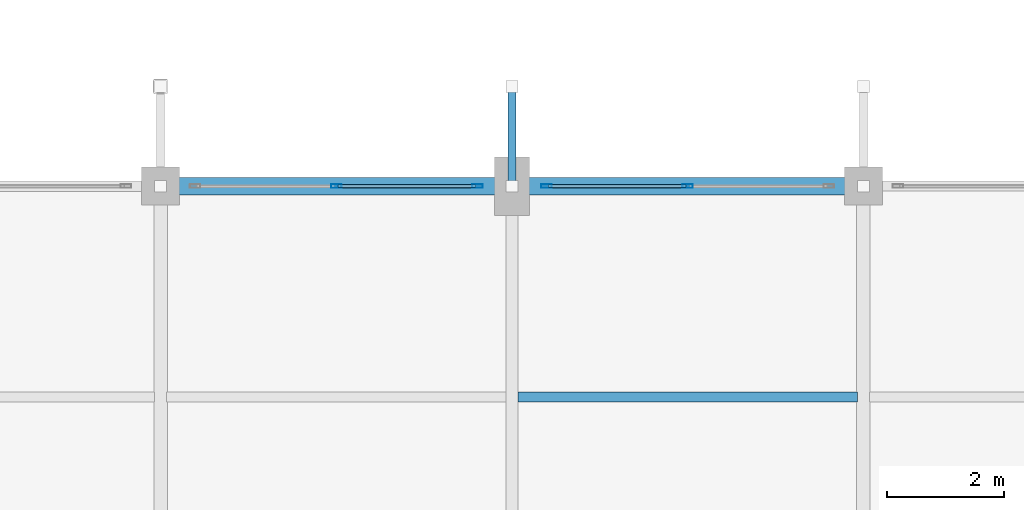
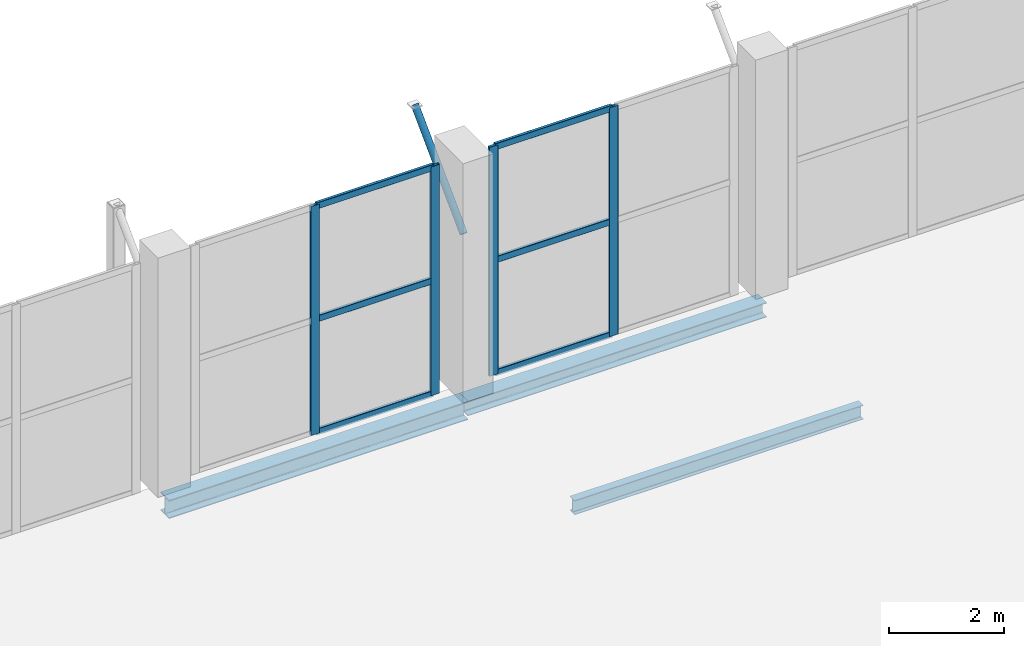
# One storey, part 50 of 127: 11 members, 3 beams, 2 elements without a shape of their own.
"""IFC4 building model written with IfcOpenShell, lengths in metres."""

from ifc_helpers import new_model, si_unit, direction, frame, origin, origin_2d, place, context, subcontext, project, spatial, hollow_rectangle, hollow_circle, i_section, extrude, material, layer, layer_set, material_profile, profile_set, type_object, element, aggregate, save


model = new_model("IFC4")

# Units and contexts
model_context = context("Model", 3, precision=1e-05, world=origin(), true_north=direction((0.0, 1.0)))
body_context = subcontext(model_context, "Body", "Model", "MODEL_VIEW")
ifc_project = project(units=[si_unit("LENGTHUNIT", "METRE"), si_unit("AREAUNIT", "SQUARE_METRE"), si_unit("VOLUMEUNIT", "CUBIC_METRE"), si_unit("PLANEANGLEUNIT", "RADIAN"), si_unit("MASSUNIT", "GRAM", prefix="KILO")], contexts=[model_context])

# Site, building, storey
site_placement = place(None, origin())
site = spatial("IfcSite", under=ifc_project, at=site_placement, CompositionType="ELEMENT")
building_placement = place(site_placement, origin())
building = spatial("IfcBuilding", under=site, at=building_placement, Name="Dunvalen Ferry Terminal", CompositionType="ELEMENT")
storey_placement = place(building_placement, frame((0.0, 0.0, 5.760009765625)))
storey = spatial("IfcBuildingStorey", under=building, at=storey_placement, Name="L01", CompositionType="ELEMENT", Elevation=5.760009765625)

# Curtain wall, members
ifc_material_1 = material(Name="Anodised marine aluminium and solar-control glazing", Category="aluminium")
ifc_layer = layer(ifc_material_1, 0.219970703125, Name="Anodised marine aluminium and solar-control glazing")
ifc_layer_set = layer_set([ifc_layer], Name="Anodised marine aluminium and solar-control glazing")
curtain_wall_type = type_object("IfcCurtainWallType", Name="ENV-CW-SYS-02", PredefinedType="NOTDEFINED", material=ifc_layer_set)
curtain_wall_1_placement = place(storey_placement, origin())
curtain_wall_1 = element("IfcCurtainWall", 1, at=curtain_wall_1_placement, inside=storey, type_object=curtain_wall_type, Name="L01 Curtain Wall CW-V1N-L01-08", PredefinedType="NOTDEFINED")
ifc_material_2 = material(Name="Anodised marine aluminium EN AW-6063 T6", Category="aluminium")
ifc_material_profile_1 = material_profile(ifc_material_2, hollow_rectangle(XDim=0.06005859375, YDim=0.179931640625, WallThickness=0.00341796875, InnerFilletRadius=0.00341796875, OuterFilletRadius=0.007080078125, at=origin_2d()), Name="Anodised marine aluminium EN AW-6063 T6")
ifc_profile_set_1 = profile_set([ifc_material_profile_1], Name="Anodised marine aluminium EN AW-6063 T6")
member_type_1 = type_object("IfcMemberType", Name="ENV-CW-MUL-2", PredefinedType="MULLION", material=ifc_profile_set_1)
member_1_placement = place(storey_placement, frame((57.0, 86.39990234375, 0.0), z_axis=(0.0, 0.0, 1.0), x_axis=(0.0, 1.0, 0.0)))
member_1 = element("IfcMember", 2, at=member_1_placement, type_object=member_type_1, Name="CW-02 mullion 2", PredefinedType="MULLION", context=body_context, shape_type="SweptSolid", body=[
    extrude(hollow_rectangle(XDim=0.06005859375, YDim=0.179931640625, WallThickness=0.00341796875, InnerFilletRadius=0.00341796875, OuterFilletRadius=0.007080078125, at=origin_2d()), origin(), (0.0, 0.0, 1.0), 4.860107421875),
])
member_2_placement = place(storey_placement, frame((59.409912109375, 86.39990234375, 0.0), z_axis=(0.0, 0.0, 1.0), x_axis=(0.0, 1.0, 0.0)))
member_2 = element("IfcMember", 3, at=member_2_placement, type_object=member_type_1, Name="CW-02 mullion 3", PredefinedType="MULLION", context=body_context, shape_type="SweptSolid", body=[
    extrude(hollow_rectangle(XDim=0.06005859375, YDim=0.179931640625, WallThickness=0.00341796875, InnerFilletRadius=0.00341796875, OuterFilletRadius=0.007080078125, at=origin_2d()), origin(), (0.0, 0.0, 1.0), 4.860107421875),
])

curtain_wall_2_placement = place(storey_placement, origin())
curtain_wall_2 = element("IfcCurtainWall", 4, at=curtain_wall_2_placement, inside=storey, type_object=curtain_wall_type, Name="L01 Curtain Wall CW-V1N-L01-09", PredefinedType="NOTDEFINED")
member_3_placement = place(storey_placement, frame((60.590087890625, 86.39990234375, 0.0), z_axis=(0.0, 0.0, 1.0), x_axis=(0.0, 1.0, 0.0)))
member_3 = element("IfcMember", 5, at=member_3_placement, type_object=member_type_1, Name="CW-02 mullion 1", PredefinedType="MULLION", context=body_context, shape_type="SweptSolid", body=[
    extrude(hollow_rectangle(XDim=0.06005859375, YDim=0.179931640625, WallThickness=0.00341796875, InnerFilletRadius=0.00341796875, OuterFilletRadius=0.007080078125, at=origin_2d()), origin(), (0.0, 0.0, 1.0), 4.860107421875),
])
member_4_placement = place(storey_placement, frame((63.0, 86.39990234375, 0.0), z_axis=(0.0, 0.0, 1.0), x_axis=(0.0, 1.0, 0.0)))
member_4 = element("IfcMember", 6, at=member_4_placement, type_object=member_type_1, Name="CW-02 mullion 2", PredefinedType="MULLION", context=body_context, shape_type="SweptSolid", body=[
    extrude(hollow_rectangle(XDim=0.06005859375, YDim=0.179931640625, WallThickness=0.00341796875, InnerFilletRadius=0.00341796875, OuterFilletRadius=0.007080078125, at=origin_2d()), origin(), (0.0, 0.0, 1.0), 4.860107421875),
])

# Member
ifc_material_profile_2 = material_profile(ifc_material_2, hollow_rectangle(XDim=0.06005859375, YDim=0.135009765625, WallThickness=0.003173828125, InnerFilletRadius=0.003173828125, OuterFilletRadius=0.00634765625, at=origin_2d()), Name="Anodised marine aluminium EN AW-6063 T6")
ifc_profile_set_2 = profile_set([ifc_material_profile_2], Name="Anodised marine aluminium EN AW-6063 T6")
member_type_2 = type_object("IfcMemberType", Name="ENV-CW-TRN-2", PredefinedType="USERDEFINED", material=ifc_profile_set_2)
member_5_placement = place(storey_placement, frame((57.030029296875, 86.39990234375, 0.030029296875), z_axis=(1.0, 0.0, 0.0), x_axis=(0.0, 1.0, 0.0)))
member_5 = element("IfcMember", 7, at=member_5_placement, type_object=member_type_2, Name="CW-02 transom 2.1", ObjectType="TRANSOM", PredefinedType="USERDEFINED", context=body_context, shape_type="SweptSolid", body=[
    extrude(hollow_rectangle(XDim=0.06005859375, YDim=0.135009765625, WallThickness=0.003173828125, InnerFilletRadius=0.003173828125, OuterFilletRadius=0.00634765625, at=origin_2d()), origin(), (0.0, 0.0, 1.0), 2.349853515625),
])

member_6_placement = place(storey_placement, frame((57.030029296875, 86.39990234375, 2.429931640625), z_axis=(1.0, 0.0, 0.0), x_axis=(0.0, 1.0, 0.0)))
member_6 = element("IfcMember", 8, at=member_6_placement, type_object=member_type_2, Name="CW-02 transom 2.2", ObjectType="TRANSOM", PredefinedType="USERDEFINED", context=body_context, shape_type="SweptSolid", body=[
    extrude(hollow_rectangle(XDim=0.06005859375, YDim=0.135009765625, WallThickness=0.003173828125, InnerFilletRadius=0.003173828125, OuterFilletRadius=0.00634765625, at=origin_2d()), origin(), (0.0, 0.0, 1.0), 2.349853515625),
])

member_7_placement = place(storey_placement, frame((57.030029296875, 86.39990234375, 4.830078125), z_axis=(1.0, 0.0, 0.0), x_axis=(0.0, 1.0, 0.0)))
member_7 = element("IfcMember", 9, at=member_7_placement, type_object=member_type_2, Name="CW-02 transom 2.3", ObjectType="TRANSOM", PredefinedType="USERDEFINED", context=body_context, shape_type="SweptSolid", body=[
    extrude(hollow_rectangle(XDim=0.06005859375, YDim=0.135009765625, WallThickness=0.003173828125, InnerFilletRadius=0.003173828125, OuterFilletRadius=0.00634765625, at=origin_2d()), origin(), (0.0, 0.0, 1.0), 2.349853515625),
])

aggregate(curtain_wall_1, [member_1, member_2, member_5, member_6, member_7])

member_8_placement = place(storey_placement, frame((60.6201171875, 86.39990234375, 0.030029296875), z_axis=(1.0, 0.0, 0.0), x_axis=(0.0, 1.0, 0.0)))
member_8 = element("IfcMember", 10, at=member_8_placement, type_object=member_type_2, Name="CW-02 transom 1.1", ObjectType="TRANSOM", PredefinedType="USERDEFINED", context=body_context, shape_type="SweptSolid", body=[
    extrude(hollow_rectangle(XDim=0.06005859375, YDim=0.135009765625, WallThickness=0.003173828125, InnerFilletRadius=0.003173828125, OuterFilletRadius=0.00634765625, at=origin_2d()), origin(), (0.0, 0.0, 1.0), 2.349853515625),
])

member_9_placement = place(storey_placement, frame((60.6201171875, 86.39990234375, 2.429931640625), z_axis=(1.0, 0.0, 0.0), x_axis=(0.0, 1.0, 0.0)))
member_9 = element("IfcMember", 11, at=member_9_placement, type_object=member_type_2, Name="CW-02 transom 1.2", ObjectType="TRANSOM", PredefinedType="USERDEFINED", context=body_context, shape_type="SweptSolid", body=[
    extrude(hollow_rectangle(XDim=0.06005859375, YDim=0.135009765625, WallThickness=0.003173828125, InnerFilletRadius=0.003173828125, OuterFilletRadius=0.00634765625, at=origin_2d()), origin(), (0.0, 0.0, 1.0), 2.349853515625),
])

member_10_placement = place(storey_placement, frame((60.6201171875, 86.39990234375, 4.830078125), z_axis=(1.0, 0.0, 0.0), x_axis=(0.0, 1.0, 0.0)))
member_10 = element("IfcMember", 12, at=member_10_placement, type_object=member_type_2, Name="CW-02 transom 1.3", ObjectType="TRANSOM", PredefinedType="USERDEFINED", context=body_context, shape_type="SweptSolid", body=[
    extrude(hollow_rectangle(XDim=0.06005859375, YDim=0.135009765625, WallThickness=0.003173828125, InnerFilletRadius=0.003173828125, OuterFilletRadius=0.00634765625, at=origin_2d()), origin(), (0.0, 0.0, 1.0), 2.349853515625),
])

aggregate(curtain_wall_2, [member_3, member_4, member_8, member_9, member_10])

# Beams
ifc_material_3 = material(Name="Steel S355", Category="steel")
ifc_material_profile_3 = material_profile(ifc_material_3, i_section(OverallWidth=0.300048828125, OverallDepth=0.31005859375, WebThickness=0.009033203125, FlangeThickness=0.015380859375, FilletRadius=0.027099609375, at=origin_2d()), Name="Steel S355")
ifc_profile_set_3 = profile_set([ifc_material_profile_3], Name="Steel S355")
beam_type_1 = type_object("IfcBeamType", Name="STR-BM-HEA320", PredefinedType="SPANDREL", material=ifc_profile_set_3)
beam_1_placement = place(storey_placement, frame((60.0, 86.39990234375, -0.43505859375), z_axis=(1.0, 0.0, 0.0), x_axis=(0.0, 1.0, 0.0)))
element("IfcBeam", 13, at=beam_1_placement, inside=storey, type_object=beam_type_1, Name="L01 V1M Primary Beam X-070", PredefinedType="SPANDREL", context=body_context, shape_type="SweptSolid", body=[
    extrude(i_section(OverallWidth=0.300048828125, OverallDepth=0.31005859375, WebThickness=0.009033203125, FlangeThickness=0.015380859375, FilletRadius=0.027099609375, at=origin_2d()), origin(), (0.0, 0.0, 1.0), 6.0),
])
ifc_material_profile_4 = material_profile(ifc_material_3, i_section(OverallWidth=0.300048828125, OverallDepth=0.389892578125, WebThickness=0.010986328125, FlangeThickness=0.01904296875, FilletRadius=0.027099609375, at=origin_2d()), Name="Steel S355")
ifc_profile_set_4 = profile_set([ifc_material_profile_4], Name="Steel S355")
beam_type_2 = type_object("IfcBeamType", Name="STR-BM-HEA400", PredefinedType="BEAM", material=ifc_profile_set_4)
beam_2_placement = place(storey_placement, frame((54.0, 86.39990234375, -0.47509765625), z_axis=(1.0, 0.0, 0.0), x_axis=(0.0, 1.0, 0.0)))
element("IfcBeam", 14, at=beam_2_placement, inside=storey, type_object=beam_type_2, Name="L01 V1M Primary Beam X-069", PredefinedType="BEAM", context=body_context, shape_type="SweptSolid", body=[
    extrude(i_section(OverallWidth=0.300048828125, OverallDepth=0.389892578125, WebThickness=0.010986328125, FlangeThickness=0.01904296875, FilletRadius=0.027099609375, at=origin_2d()), origin(), (0.0, 0.0, 1.0), 6.0),
])
ifc_material_profile_5 = material_profile(ifc_material_3, i_section(OverallWidth=0.1650390625, OverallDepth=0.303466796875, WebThickness=0.006103515625, FlangeThickness=0.01025390625, FilletRadius=0.0087890625, at=origin_2d()), Name="Steel S355")
ifc_profile_set_5 = profile_set([ifc_material_profile_5], Name="Steel S355")
beam_type_3 = type_object("IfcBeamType", Name="STR-BM-UKB305", PredefinedType="JOIST", material=ifc_profile_set_5)
beam_3_placement = place(storey_placement, frame((60.10009765625, 82.800048828125, -0.431640625), z_axis=(1.0, 0.0, 0.0), x_axis=(0.0, 1.0, 0.0)))
element("IfcBeam", 15, at=beam_3_placement, inside=storey, type_object=beam_type_3, Name="L01 V1M Secondary Joist 023", PredefinedType="JOIST", context=body_context, shape_type="SweptSolid", body=[
    extrude(i_section(OverallWidth=0.1650390625, OverallDepth=0.303466796875, WebThickness=0.006103515625, FlangeThickness=0.01025390625, FilletRadius=0.0087890625, at=origin_2d()), origin(), (0.0, 0.0, 1.0), 5.7998046875),
])

# Member
ifc_material_profile_6 = material_profile(ifc_material_3, hollow_circle(Radius=0.06982421875, WallThickness=0.00634765625, at=origin_2d()), Name="Steel S355")
ifc_profile_set_6 = profile_set([ifc_material_profile_6], Name="Steel S355")
member_type_3 = type_object("IfcMemberType", Name="STR-MB-CHS139", PredefinedType="BRACE", material=ifc_profile_set_6)
member_11_placement = place(storey_placement, frame((60.0, 86.39990234375, 3.18994140625), z_axis=(0.0, 0.705078956609, 0.709128807021), x_axis=(-1.0, 0.0, 0.0)))
element("IfcMember", 16, at=member_11_placement, inside=storey, type_object=member_type_3, Name="Departure Hall North Eave Knee Strut 09", PredefinedType="BRACE", context=body_context, shape_type="SweptSolid", body=[
    extrude(hollow_circle(Radius=0.06982421875, WallThickness=0.00634765625, at=origin_2d()), origin(), (0.0, 0.0, 1.0), 2.411376953125),
])

save(model, "model.ifc")
